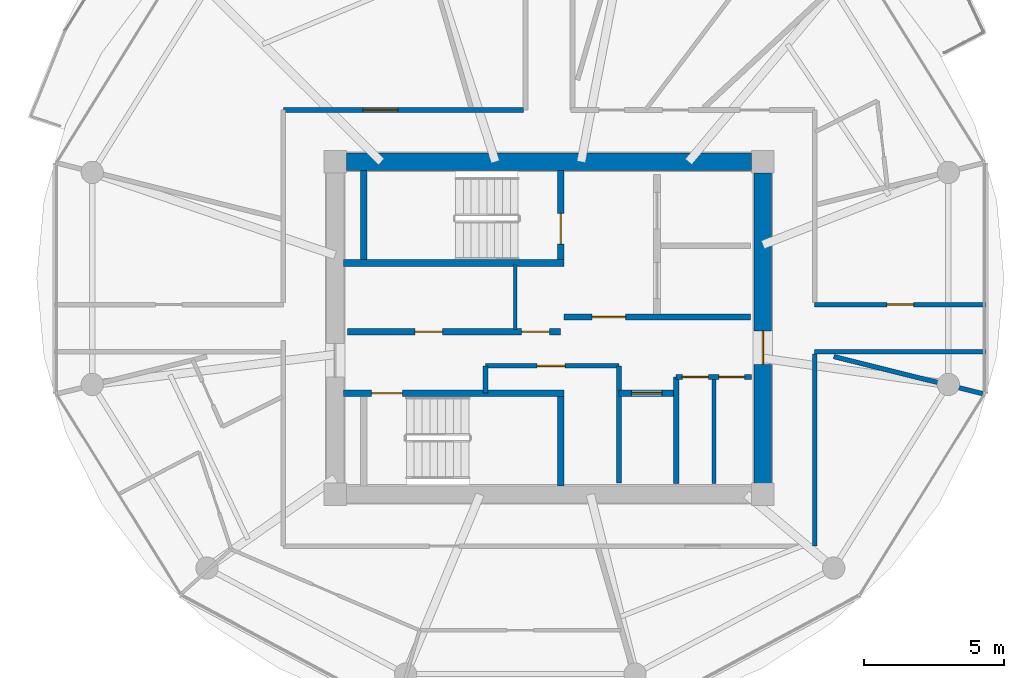
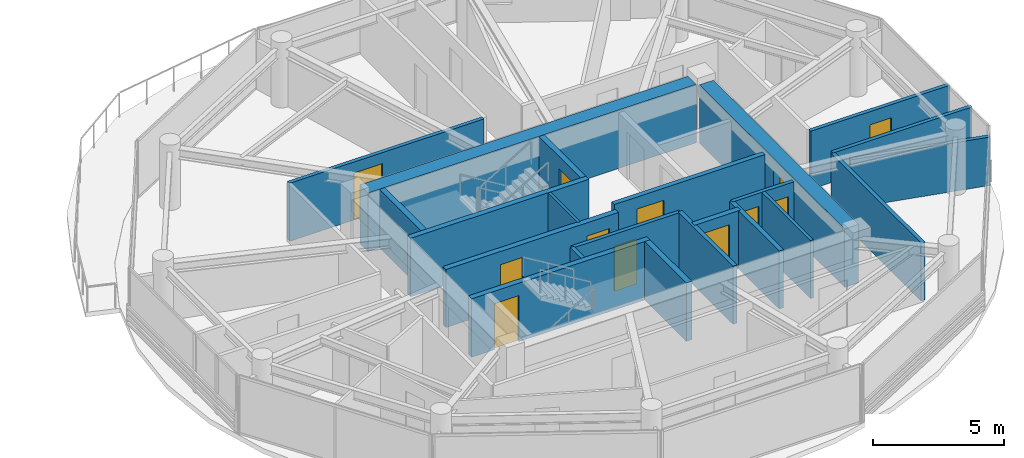
# One storey, part 15 of 22: 22 walls, 12 doors, 12 openings.
"""IFC4 building model written with IfcOpenShell, lengths in metres."""

from ifc_helpers import new_model, si_unit, direction, frame, frame_2d, origin, place, context, subcontext, project, spatial, rectangle, extrude, source, transform, mapped, material, layer, layer_set, type_object, type_shapes, element, fill, save


model = new_model("IFC4")

# Units and contexts
model_context = context("Model", 3, precision=1e-05, world=origin(), true_north=direction((0.0, 1.0)))
body_context = subcontext(model_context, "Body", "Model", "MODEL_VIEW")
ifc_project = project(units=[si_unit("LENGTHUNIT", "METRE"), si_unit("AREAUNIT", "SQUARE_METRE"), si_unit("VOLUMEUNIT", "CUBIC_METRE"), si_unit("PLANEANGLEUNIT", "RADIAN"), si_unit("MASSUNIT", "GRAM", prefix="KILO")], contexts=[model_context])

# Site, building, storey
site_placement = place(None, origin())
site = spatial("IfcSite", under=ifc_project, at=site_placement, CompositionType="ELEMENT")
building_placement = place(site_placement, origin())
building = spatial("IfcBuilding", under=site, at=building_placement, Name="Norrkilde Senior Care Towers", CompositionType="ELEMENT")
storey_placement = place(building_placement, frame((0.0, 0.0, 183.10009765625)))
storey = spatial("IfcBuildingStorey", under=building, at=storey_placement, Name="L57", CompositionType="ELEMENT", Elevation=183.10009765625)

# Wall
ifc_material_1 = material(Name="Concrete C50/60", Category="concrete")
ifc_layer_1 = layer(ifc_material_1, 0.6201171875)
ifc_layer_set_1 = layer_set([ifc_layer_1], Name="Concrete C50/60")
wall_type_1 = type_object("IfcWallType", Name="Core Shear Wall Z3 620", PredefinedType="SHEAR", material=ifc_layer_set_1)
shared_shape_1 = source(origin(), body_context, "Body", "SweptSolid", [
    extrude(rectangle(XDim=14.5, YDim=0.6201171875, at=frame_2d((7.25, 0.0))), origin(), (0.0, 0.0, 1.0), 2.72998046875),
])
wall_1_placement = place(storey_placement, frame((20.75, 5.949951171875, 0.0), z_axis=(0.0, 0.0, 1.0), x_axis=(1.0, 0.0, 0.0)))
element("IfcWall", 1, at=wall_1_placement, inside=storey, type_object=wall_type_1, Name="L57 Core E North Shear Wall", PredefinedType="SHEAR", context=body_context, shape_type="MappedRepresentation", body=[
    mapped(shared_shape_1, transform((0.0, 0.0, 0.0), x_axis=(1.0, 0.0, 0.0), y_axis=(0.0, 1.0, 0.0), z_axis=(0.0, 0.0, 1.0), scale=1.0)),
])

# Wall, opening, door
shared_shape_2 = source(origin(), body_context, "Body", "SweptSolid", [
    extrude(rectangle(XDim=11.10009765625, YDim=0.6201171875, at=frame_2d((5.550048828125, 0.0))), origin(), (0.0, 0.0, 1.0), 2.72998046875),
])
type_shapes(wall_type_1, [shared_shape_1, shared_shape_2])
wall_2_placement = place(storey_placement, frame((35.64990234375, 5.550048828125, 0.0), z_axis=(0.0, 0.0, 1.0), x_axis=(0.0, -1.0, 0.0)))
wall_2 = element("IfcWall", 2, at=wall_2_placement, inside=storey, type_object=wall_type_1, Name="L57 Core E East Shear Wall", PredefinedType="SHEAR", context=body_context, shape_type="MappedRepresentation", body=[
    mapped(shared_shape_2, transform((0.0, 0.0, 0.0), x_axis=(1.0, 0.0, 0.0), y_axis=(0.0, 1.0, 0.0), z_axis=(0.0, 0.0, 1.0), scale=1.0)),
])
opening_1_placement = place(wall_2_placement, frame((5.64990234375, 0.0, 0.0)))
opening_1 = element("IfcOpeningElement", 3, at=opening_1_placement, cuts=wall_2, Name="Opening D-04", PredefinedType="OPENING", context=body_context, shape_type="SweptSolid", body=[
    extrude(rectangle(XDim=1.199951171875, YDim=2.14990234375, at=frame_2d((0.60009765625, 1.074951171875))), frame((0.0, 0.320068359375, 0.0), z_axis=(0.0, -1.0, 0.0), x_axis=(1.0, 0.0, 0.0)), (0.0, 0.0, 1.0), 0.64013671875),
])
ifc_material_2 = material(Name="Galvanised Painted Steel", Category="steel")
door_type_1 = type_object("IfcDoorType", Name="Firefighting Lobby Fire Door 1200x2150", OperationType="NOTDEFINED", PredefinedType="DOOR", material=ifc_material_2)
shared_shape_3 = source(origin(), body_context, "Body", "SweptSolid", [
    extrude(rectangle(XDim=1.199951171875, YDim=2.14990234375, at=frame_2d((0.60009765625, 1.074951171875))), frame((0.0, 0.02490234375, 0.0), z_axis=(0.0, -1.0, 0.0), x_axis=(1.0, 0.0, 0.0)), (0.0, 0.0, 1.0), 0.050048828125),
])
type_shapes(door_type_1, [shared_shape_3])
door_1_placement = place(opening_1_placement, frame((1.199951171875, 0.0, 0.0), z_axis=(0.0, 0.0, 1.0), x_axis=(-1.0, 0.0, 0.0)))
door_1 = element("IfcDoor", 4, at=door_1_placement, inside=storey, type_object=door_type_1, Name="L57 Core E East Portal Door", OperationType="SINGLE_SWING_RIGHT", OverallHeight=2.14990234375, OverallWidth=1.199951171875, PredefinedType="DOOR", context=body_context, shape_type="MappedRepresentation", body=[
    mapped(shared_shape_3, transform((0.0, 0.0, 0.0), x_axis=(1.0, 0.0, 0.0), y_axis=(0.0, 1.0, 0.0), z_axis=(0.0, 0.0, 1.0), scale=1.0)),
])
fill(opening_1, door_1)

# Wall
ifc_material_3 = material(Name="Concrete C45/55", Category="concrete")
ifc_layer_2 = layer(ifc_material_3, 0.239990234375)
ifc_layer_set_2 = layer_set([ifc_layer_2], Name="Concrete C45/55")
wall_type_2 = type_object("IfcWallType", Name="Shaft and Stair Enclosure Wall 240", PredefinedType="PARTITIONING", material=ifc_layer_set_2)
shared_shape_4 = source(origin(), body_context, "Body", "SweptSolid", [
    extrude(rectangle(XDim=7.880126953125, YDim=0.239990234375, at=frame_2d((3.93994140625, 0.0))), origin(), (0.0, 0.0, 1.0), 2.72998046875),
])
wall_3_placement = place(storey_placement, frame((20.659912109375, 2.330078125, 0.0), z_axis=(0.0, 0.0, 1.0), x_axis=(1.0, 0.0, 0.0)))
element("IfcWall", 5, at=wall_3_placement, inside=storey, type_object=wall_type_2, Name="WL-INT-L57-E-ST1S", PredefinedType="PARTITIONING", context=body_context, shape_type="MappedRepresentation", body=[
    mapped(shared_shape_4, transform((0.0, 0.0, 0.0), x_axis=(1.0, 0.0, 0.0), y_axis=(0.0, 1.0, 0.0), z_axis=(0.0, 0.0, 1.0), scale=1.0)),
])

# Wall, opening, door
wall_4_placement = place(storey_placement, frame((20.659912109375, -2.330078125, 0.0), z_axis=(0.0, 0.0, 1.0), x_axis=(1.0, 0.0, 0.0)))
wall_4 = element("IfcWall", 6, at=wall_4_placement, inside=storey, type_object=wall_type_2, Name="WL-INT-L57-E-ST2N", PredefinedType="PARTITIONING", context=body_context, shape_type="MappedRepresentation", body=[
    mapped(shared_shape_4, transform((0.0, 0.0, 0.0), x_axis=(1.0, 0.0, 0.0), y_axis=(0.0, 1.0, 0.0), z_axis=(0.0, 0.0, 1.0), scale=1.0)),
])
opening_2_placement = place(wall_4_placement, frame((1.0, 0.0, 0.0)))
opening_2 = element("IfcOpeningElement", 7, at=opening_2_placement, cuts=wall_4, Name="Opening D-03", PredefinedType="OPENING", context=body_context, shape_type="SweptSolid", body=[
    extrude(rectangle(XDim=1.10009765625, YDim=2.14990234375, at=frame_2d((0.550048828125, 1.074951171875))), frame((0.0, 0.1298828125, 0.0), z_axis=(0.0, -1.0, 0.0), x_axis=(1.0, 0.0, 0.0)), (0.0, 0.0, 1.0), 0.260009765625),
])
door_type_2 = type_object("IfcDoorType", Name="Stairwell Protected Fire Door 1100x2150", OperationType="NOTDEFINED", PredefinedType="DOOR", material=ifc_material_2)
shared_shape_5 = source(origin(), body_context, "Body", "SweptSolid", [
    extrude(rectangle(XDim=1.10009765625, YDim=2.14990234375, at=frame_2d((0.550048828125, 1.074951171875))), frame((0.0, 0.02490234375, 0.0), z_axis=(0.0, -1.0, 0.0), x_axis=(1.0, 0.0, 0.0)), (0.0, 0.0, 1.0), 0.050048828125),
])
type_shapes(door_type_2, [shared_shape_5])
door_2_placement = place(opening_2_placement, frame((1.10009765625, 0.0, 0.0), z_axis=(0.0, 0.0, 1.0), x_axis=(-1.0, 0.0, 0.0)))
door_2 = element("IfcDoor", 8, at=door_2_placement, inside=storey, type_object=door_type_2, Name="L57 Stair E2 Fire Door", OperationType="SINGLE_SWING_RIGHT", OverallHeight=2.14990234375, OverallWidth=1.10009765625, PredefinedType="DOOR", context=body_context, shape_type="MappedRepresentation", body=[
    mapped(shared_shape_5, transform((0.0, 0.0, 0.0), x_axis=(1.0, 0.0, 0.0), y_axis=(0.0, 1.0, 0.0), z_axis=(0.0, 0.0, 1.0), scale=1.0)),
])
fill(opening_2, door_2)

# Wall
shared_shape_6 = source(origin(), body_context, "Body", "SweptSolid", [
    extrude(rectangle(XDim=3.18994140625, YDim=0.239990234375, at=frame_2d((1.594970703125, 0.0))), origin(), (0.0, 0.0, 1.0), 2.72998046875),
])
type_shapes(wall_type_2, [shared_shape_4, shared_shape_6])
wall_5_placement = place(storey_placement, frame((21.3798828125, 2.449951171875, 0.0), z_axis=(0.0, 0.0, 1.0), x_axis=(0.0, 1.0, 0.0)))
element("IfcWall", 9, at=wall_5_placement, inside=storey, type_object=wall_type_2, Name="WL-INT-L57-E-ST1W", PredefinedType="PARTITIONING", context=body_context, shape_type="MappedRepresentation", body=[
    mapped(shared_shape_6, transform((0.0, 0.0, 0.0), x_axis=(1.0, 0.0, 0.0), y_axis=(0.0, 1.0, 0.0), z_axis=(0.0, 0.0, 1.0), scale=1.0)),
])

# Wall, opening, door
wall_6_placement = place(storey_placement, frame((28.419921875, 2.449951171875, 0.0), z_axis=(0.0, 0.0, 1.0), x_axis=(0.0, 1.0, 0.0)))
wall_6 = element("IfcWall", 10, at=wall_6_placement, inside=storey, type_object=wall_type_2, Name="WL-INT-L57-E-ST1E", PredefinedType="PARTITIONING", context=body_context, shape_type="MappedRepresentation", body=[
    mapped(shared_shape_6, transform((0.0, 0.0, 0.0), x_axis=(1.0, 0.0, 0.0), y_axis=(0.0, 1.0, 0.0), z_axis=(0.0, 0.0, 1.0), scale=1.0)),
])
opening_3_placement = place(wall_6_placement, frame((0.550048828125, 0.0, 0.0)))
opening_3 = element("IfcOpeningElement", 11, at=opening_3_placement, cuts=wall_6, Name="Opening D-03", PredefinedType="OPENING", context=body_context, shape_type="SweptSolid", body=[
    extrude(rectangle(XDim=1.10009765625, YDim=2.14990234375, at=frame_2d((0.550048828125, 1.074951171875))), frame((0.0, 0.1298828125, 0.0), z_axis=(0.0, -1.0, 0.0), x_axis=(1.0, 0.0, 0.0)), (0.0, 0.0, 1.0), 0.260009765625),
])
door_3_placement = place(opening_3_placement, origin())
door_3 = element("IfcDoor", 12, at=door_3_placement, inside=storey, type_object=door_type_2, Name="L57 Stair E1 Fire Door", OperationType="SINGLE_SWING_LEFT", OverallHeight=2.14990234375, OverallWidth=1.10009765625, PredefinedType="DOOR", context=body_context, shape_type="MappedRepresentation", body=[
    mapped(shared_shape_5, transform((0.0, 0.0, 0.0), x_axis=(1.0, 0.0, 0.0), y_axis=(0.0, 1.0, 0.0), z_axis=(0.0, 0.0, 1.0), scale=1.0)),
])
fill(opening_3, door_3)

# Wall
wall_7_placement = place(storey_placement, frame((28.419921875, -5.639892578125, 0.0), z_axis=(0.0, 0.0, 1.0), x_axis=(0.0, 1.0, 0.0)))
element("IfcWall", 13, at=wall_7_placement, inside=storey, type_object=wall_type_2, Name="WL-INT-L57-E-ST2E", PredefinedType="PARTITIONING", context=body_context, shape_type="MappedRepresentation", body=[
    mapped(shared_shape_6, transform((0.0, 0.0, 0.0), x_axis=(1.0, 0.0, 0.0), y_axis=(0.0, 1.0, 0.0), z_axis=(0.0, 0.0, 1.0), scale=1.0)),
])

# Wall, opening, door
ifc_layer_3 = layer(ifc_material_3, 0.2099609375)
ifc_layer_set_3 = layer_set([ifc_layer_3], Name="Concrete C45/55")
wall_type_3 = type_object("IfcWallType", Name="Firefighting Lobby Wall 210", PredefinedType="PARTITIONING", material=ifc_layer_set_3)
shared_shape_7 = source(origin(), body_context, "Body", "SweptSolid", [
    extrude(rectangle(XDim=6.659912109375, YDim=0.2099609375, at=frame_2d((3.330078125, 0.0))), origin(), (0.0, 0.0, 1.0), 2.71484375),
])
type_shapes(wall_type_3, [shared_shape_7])
wall_8_placement = place(storey_placement, frame((28.5400390625, 0.389892578125, 0.0), z_axis=(0.0, 0.0, 1.0), x_axis=(1.0, 0.0, 0.0)))
wall_8 = element("IfcWall", 14, at=wall_8_placement, inside=storey, type_object=wall_type_3, Name="WL-INT-L57-E-FFLS", PredefinedType="PARTITIONING", context=body_context, shape_type="MappedRepresentation", body=[
    mapped(shared_shape_7, transform((0.0, 0.0, 0.0), x_axis=(1.0, 0.0, 0.0), y_axis=(0.0, 1.0, 0.0), z_axis=(0.0, 0.0, 1.0), scale=1.0)),
])
opening_4_placement = place(wall_8_placement, frame((1.0, 0.0, 0.0)))
opening_4 = element("IfcOpeningElement", 15, at=opening_4_placement, cuts=wall_8, Name="Opening D-04", PredefinedType="OPENING", context=body_context, shape_type="SweptSolid", body=[
    extrude(rectangle(XDim=1.199951171875, YDim=2.14990234375, at=frame_2d((0.60009765625, 1.074951171875))), frame((0.0, 0.114990234375, 0.0), z_axis=(0.0, -1.0, 0.0), x_axis=(1.0, 0.0, 0.0)), (0.0, 0.0, 1.0), 0.22998046875),
])
door_4_placement = place(opening_4_placement, frame((1.199951171875, 0.0, 0.0), z_axis=(0.0, 0.0, 1.0), x_axis=(-1.0, 0.0, 0.0)))
door_4 = element("IfcDoor", 16, at=door_4_placement, inside=storey, type_object=door_type_1, Name="L57 Firefighting Lobby E Door", OperationType="SINGLE_SWING_LEFT", OverallHeight=2.14990234375, OverallWidth=1.199951171875, PredefinedType="DOOR", context=body_context, shape_type="MappedRepresentation", body=[
    mapped(shared_shape_3, transform((0.0, 0.0, 0.0), x_axis=(1.0, 0.0, 0.0), y_axis=(0.0, 1.0, 0.0), z_axis=(0.0, 0.0, 1.0), scale=1.0)),
])
fill(opening_4, door_4)

# Wall, openings, doors
ifc_layer_4 = layer(ifc_material_3, 0.239990234375)
ifc_layer_set_4 = layer_set([ifc_layer_4], Name="Concrete C45/55")
wall_type_4 = type_object("IfcWallType", Name="Lift and Plant Rated Enclosure Partition 240", PredefinedType="PARTITIONING", material=ifc_layer_set_4)
shared_shape_8 = source(origin(), body_context, "Body", "SweptSolid", [
    extrude(rectangle(XDim=7.619873046875, YDim=0.239990234375, at=frame_2d((3.81005859375, 0.0))), origin(), (0.0, 0.0, 1.0), 2.71484375),
])
wall_9_placement = place(storey_placement, frame((20.800048828125, -0.1298828125, 0.0), z_axis=(0.0, 0.0, 1.0), x_axis=(1.0, 0.0, 0.0)))
wall_9 = element("IfcWall", 17, at=wall_9_placement, inside=storey, type_object=wall_type_4, Name="WL-INT-L57-E-PKAS", PredefinedType="PARTITIONING", context=body_context, shape_type="MappedRepresentation", body=[
    mapped(shared_shape_8, transform((0.0, 0.0, 0.0), x_axis=(1.0, 0.0, 0.0), y_axis=(0.0, 1.0, 0.0), z_axis=(0.0, 0.0, 1.0), scale=1.0)),
])
opening_5_placement = place(wall_9_placement, frame((6.219970703125, 0.0, 0.0)))
opening_5 = element("IfcOpeningElement", 18, at=opening_5_placement, cuts=wall_9, Name="Opening D-10", PredefinedType="OPENING", context=body_context, shape_type="SweptSolid", body=[
    extrude(rectangle(XDim=1.0, YDim=2.10009765625, at=frame_2d((0.5, 1.050048828125))), frame((0.0, 0.1298828125, 0.0), z_axis=(0.0, -1.0, 0.0), x_axis=(1.0, 0.0, 0.0)), (0.0, 0.0, 1.0), 0.260009765625),
])
opening_6_placement = place(wall_9_placement, frame((2.39990234375, 0.0, 0.0)))
opening_6 = element("IfcOpeningElement", 19, at=opening_6_placement, cuts=wall_9, Name="Opening D-10", PredefinedType="OPENING", context=body_context, shape_type="SweptSolid", body=[
    extrude(rectangle(XDim=1.0, YDim=2.10009765625, at=frame_2d((0.5, 1.050048828125))), frame((0.0, 0.1298828125, 0.0), z_axis=(0.0, -1.0, 0.0), x_axis=(1.0, 0.0, 0.0)), (0.0, 0.0, 1.0), 0.260009765625),
])
door_type_3 = type_object("IfcDoorType", Name="Plant and Riser Rated Door 1000x2100", OperationType="NOTDEFINED", PredefinedType="DOOR", material=ifc_material_2)
shared_shape_9 = source(origin(), body_context, "Body", "SweptSolid", [
    extrude(rectangle(XDim=1.0, YDim=2.10009765625, at=frame_2d((0.5, 1.050048828125))), frame((0.0, 0.02490234375, 0.0), z_axis=(0.0, -1.0, 0.0), x_axis=(1.0, 0.0, 0.0)), (0.0, 0.0, 1.0), 0.050048828125),
])
type_shapes(door_type_3, [shared_shape_9])
door_5_placement = place(opening_5_placement, frame((1.0, 0.0, 0.0), z_axis=(0.0, 0.0, 1.0), x_axis=(-1.0, 0.0, 0.0)))
door_5 = element("IfcDoor", 20, at=door_5_placement, inside=storey, type_object=door_type_3, Name="L57 Electrical Riser E Door", OperationType="SINGLE_SWING_LEFT", OverallHeight=2.10009765625, OverallWidth=1.0, PredefinedType="DOOR", context=body_context, shape_type="MappedRepresentation", body=[
    mapped(shared_shape_9, transform((0.0, 0.0, 0.0), x_axis=(1.0, 0.0, 0.0), y_axis=(0.0, 1.0, 0.0), z_axis=(0.0, 0.0, 1.0), scale=1.0)),
])
fill(opening_5, door_5)
door_6_placement = place(opening_6_placement, frame((1.0, 0.0, 0.0), z_axis=(0.0, 0.0, 1.0), x_axis=(-1.0, 0.0, 0.0)))
door_6 = element("IfcDoor", 21, at=door_6_placement, inside=storey, type_object=door_type_3, Name="L57 Clean Supply Store E Door", OperationType="SINGLE_SWING_LEFT", OverallHeight=2.10009765625, OverallWidth=1.0, PredefinedType="DOOR", context=body_context, shape_type="MappedRepresentation", body=[
    mapped(shared_shape_9, transform((0.0, 0.0, 0.0), x_axis=(1.0, 0.0, 0.0), y_axis=(0.0, 1.0, 0.0), z_axis=(0.0, 0.0, 1.0), scale=1.0)),
])
fill(opening_6, door_6)

# Walls
ifc_material_4 = material(Name="Gypsum Acoustic Board")
ifc_layer_5 = layer(ifc_material_4, 0.114990234375)
ifc_layer_set_5 = layer_set([ifc_layer_5], Name="Gypsum Acoustic Board")
wall_type_5 = type_object("IfcWallType", Name="Internal Room Partition 115", PredefinedType="PARTITIONING", material=ifc_layer_set_5)
shared_shape_10 = source(origin(), body_context, "Body", "SweptSolid", [
    extrude(rectangle(XDim=2.330078125, YDim=0.114990234375, at=frame_2d((1.1650390625, 0.0))), origin(), (0.0, 0.0, 1.0), 2.71484375),
])
type_shapes(wall_type_5, [shared_shape_10])
wall_10_placement = place(storey_placement, frame((26.7900390625, -0.050048828125, 0.0), z_axis=(0.0, 0.0, 1.0), x_axis=(0.0, 1.0, 0.0)))
element("IfcWall", 22, at=wall_10_placement, inside=storey, type_object=wall_type_5, Name="WL-INT-L57-E-RISW", PredefinedType="PARTITIONING", context=body_context, shape_type="MappedRepresentation", body=[
    mapped(shared_shape_10, transform((0.0, 0.0, 0.0), x_axis=(1.0, 0.0, 0.0), y_axis=(0.0, 1.0, 0.0), z_axis=(0.0, 0.0, 1.0), scale=1.0)),
])
ifc_layer_6 = layer(ifc_material_3, 0.199951171875)
ifc_layer_set_6 = layer_set([ifc_layer_6], Name="Concrete C45/55")
wall_type_6 = type_object("IfcWallType", Name="Shaft Division and Plant Partition 200", PredefinedType="PARTITIONING", material=ifc_layer_set_6)
shared_shape_11 = source(origin(), body_context, "Body", "SweptSolid", [
    extrude(rectangle(XDim=3.800048828125, YDim=0.199951171875, at=frame_2d((1.89990234375, 0.0))), origin(), (0.0, 0.0, 1.0), 2.71484375),
])
type_shapes(wall_type_6, [shared_shape_11])
wall_11_placement = place(storey_placement, frame((32.550048828125, -5.550048828125, 0.0), z_axis=(0.0, 0.0, 1.0), x_axis=(0.0, 1.0, 0.0)))
element("IfcWall", 23, at=wall_11_placement, inside=storey, type_object=wall_type_6, Name="WL-INT-L57-E-PKBE", PredefinedType="PARTITIONING", context=body_context, shape_type="MappedRepresentation", body=[
    mapped(shared_shape_11, transform((0.0, 0.0, 0.0), x_axis=(1.0, 0.0, 0.0), y_axis=(0.0, 1.0, 0.0), z_axis=(0.0, 0.0, 1.0), scale=1.0)),
])

# Wall, opening, door
shared_shape_12 = source(origin(), body_context, "Body", "SweptSolid", [
    extrude(rectangle(XDim=2.050048828125, YDim=0.239990234375, at=frame_2d((1.02490234375, 0.0))), origin(), (0.0, 0.0, 1.0), 2.71484375),
])
type_shapes(wall_type_4, [shared_shape_8, shared_shape_12])
wall_12_placement = place(storey_placement, frame((30.5, -2.330078125, 0.0), z_axis=(0.0, 0.0, 1.0), x_axis=(1.0, 0.0, 0.0)))
wall_12 = element("IfcWall", 24, at=wall_12_placement, inside=storey, type_object=wall_type_4, Name="WL-INT-L57-E-PL4N", PredefinedType="PARTITIONING", context=body_context, shape_type="MappedRepresentation", body=[
    mapped(shared_shape_12, transform((0.0, 0.0, 0.0), x_axis=(1.0, 0.0, 0.0), y_axis=(0.0, 1.0, 0.0), z_axis=(0.0, 0.0, 1.0), scale=1.0)),
])
opening_7_placement = place(wall_12_placement, frame((0.449951171875, 0.0, 0.0)))
opening_7 = element("IfcOpeningElement", 25, at=opening_7_placement, cuts=wall_12, Name="Opening LD-01", PredefinedType="OPENING", context=body_context, shape_type="SweptSolid", body=[
    extrude(rectangle(XDim=1.10009765625, YDim=2.199951171875, at=frame_2d((0.550048828125, 1.10009765625))), frame((0.0, 0.1298828125, 0.0), z_axis=(0.0, -1.0, 0.0), x_axis=(1.0, 0.0, 0.0)), (0.0, 0.0, 1.0), 0.260009765625),
])
ifc_material_5 = material(Name="Stainless Steel", Category="steel")
door_type_4 = type_object("IfcDoorType", Name="Lift Landing Sliding Door 1100x2200", OperationType="NOTDEFINED", PredefinedType="DOOR", material=ifc_material_5)
shared_shape_13 = source(origin(), body_context, "Body", "SweptSolid", [
    extrude(rectangle(XDim=1.10009765625, YDim=2.199951171875, at=frame_2d((0.550048828125, 1.10009765625))), frame((0.0, 0.02490234375, 0.0), z_axis=(0.0, -1.0, 0.0), x_axis=(1.0, 0.0, 0.0)), (0.0, 0.0, 1.0), 0.050048828125),
])
type_shapes(door_type_4, [shared_shape_13])
door_7_placement = place(opening_7_placement, frame((1.10009765625, 0.0, 0.0), z_axis=(0.0, 0.0, 1.0), x_axis=(-1.0, 0.0, 0.0)))
door_7 = element("IfcDoor", 26, at=door_7_placement, inside=storey, type_object=door_type_4, Name="L57 Passenger Lift E4 Landing Door", OperationType="SLIDING_TO_RIGHT", OverallHeight=2.199951171875, OverallWidth=1.10009765625, PredefinedType="DOOR", context=body_context, shape_type="MappedRepresentation", body=[
    mapped(shared_shape_13, transform((0.0, 0.0, 0.0), x_axis=(1.0, 0.0, 0.0), y_axis=(0.0, 1.0, 0.0), z_axis=(0.0, 0.0, 1.0), scale=1.0)),
])
fill(opening_7, door_7)

# Wall
ifc_layer_7 = layer(ifc_material_3, 0.179931640625)
ifc_layer_set_7 = layer_set([ifc_layer_7], Name="Concrete C45/55")
wall_type_7 = type_object("IfcWallType", Name="Hoistway Division Rated Partition 180", PredefinedType="PARTITIONING", material=ifc_layer_set_7)
shared_shape_14 = source(origin(), body_context, "Body", "SweptSolid", [
    extrude(rectangle(XDim=4.199951171875, YDim=0.179931640625, at=frame_2d((2.10009765625, 0.0))), origin(), (0.0, 0.0, 1.0), 2.71484375),
])
type_shapes(wall_type_7, [shared_shape_14])
wall_13_placement = place(storey_placement, frame((30.5, -5.550048828125, 0.0), z_axis=(0.0, 0.0, 1.0), x_axis=(0.0, 1.0, 0.0)))
element("IfcWall", 27, at=wall_13_placement, inside=storey, type_object=wall_type_7, Name="WL-INT-L57-E-PL4W", PredefinedType="PARTITIONING", context=body_context, shape_type="MappedRepresentation", body=[
    mapped(shared_shape_14, transform((0.0, 0.0, 0.0), x_axis=(1.0, 0.0, 0.0), y_axis=(0.0, 1.0, 0.0), z_axis=(0.0, 0.0, 1.0), scale=1.0)),
])

# Wall, opening, door
ifc_layer_8 = layer(ifc_material_4, 0.1650390625)
ifc_layer_set_8 = layer_set([ifc_layer_8], Name="Gypsum Acoustic Board")
wall_type_8 = type_object("IfcWallType", Name="Corridor Rated Partition 165", PredefinedType="PARTITIONING", material=ifc_layer_set_8)
shared_shape_15 = source(origin(), body_context, "Body", "SweptSolid", [
    extrude(rectangle(XDim=4.77001953125, YDim=0.1650390625, at=frame_2d((2.385009765625, 0.0))), origin(), (0.0, 0.0, 1.0), 2.71484375),
])
wall_14_placement = place(storey_placement, frame((25.72998046875, -1.35009765625, 0.0), z_axis=(0.0, 0.0, 1.0), x_axis=(1.0, 0.0, 0.0)))
wall_14 = element("IfcWall", 28, at=wall_14_placement, inside=storey, type_object=wall_type_8, Name="WL-INT-L57-E-FR2N", PredefinedType="PARTITIONING", context=body_context, shape_type="MappedRepresentation", body=[
    mapped(shared_shape_15, transform((0.0, 0.0, 0.0), x_axis=(1.0, 0.0, 0.0), y_axis=(0.0, 1.0, 0.0), z_axis=(0.0, 0.0, 1.0), scale=1.0)),
])
opening_8_placement = place(wall_14_placement, frame((1.85009765625, 0.0, 0.0)))
opening_8 = element("IfcOpeningElement", 29, at=opening_8_placement, cuts=wall_14, Name="Opening D-10", PredefinedType="OPENING", context=body_context, shape_type="SweptSolid", body=[
    extrude(rectangle(XDim=1.0, YDim=2.10009765625, at=frame_2d((0.5, 1.050048828125))), frame((0.0, 0.092529296875, 0.0), z_axis=(0.0, -1.0, 0.0), x_axis=(1.0, 0.0, 0.0)), (0.0, 0.0, 1.0), 0.18505859375),
])
door_8_placement = place(opening_8_placement, origin())
door_8 = element("IfcDoor", 30, at=door_8_placement, inside=storey, type_object=door_type_3, Name="L57 Core Pantry E Door", OperationType="SINGLE_SWING_RIGHT", OverallHeight=2.10009765625, OverallWidth=1.0, PredefinedType="DOOR", context=body_context, shape_type="MappedRepresentation", body=[
    mapped(shared_shape_9, transform((0.0, 0.0, 0.0), x_axis=(1.0, 0.0, 0.0), y_axis=(0.0, 1.0, 0.0), z_axis=(0.0, 0.0, 1.0), scale=1.0)),
])
fill(opening_8, door_8)

# Wall
shared_shape_16 = source(origin(), body_context, "Body", "SweptSolid", [
    extrude(rectangle(XDim=0.97998046875, YDim=0.1650390625, at=frame_2d((0.489990234375, 0.0))), origin(), (0.0, 0.0, 1.0), 2.71484375),
])
wall_15_placement = place(storey_placement, frame((25.72998046875, -2.330078125, 0.0), z_axis=(0.0, 0.0, 1.0), x_axis=(0.0, 1.0, 0.0)))
element("IfcWall", 31, at=wall_15_placement, inside=storey, type_object=wall_type_8, Name="WL-INT-L57-E-FR2W", PredefinedType="PARTITIONING", context=body_context, shape_type="MappedRepresentation", body=[
    mapped(shared_shape_16, transform((0.0, 0.0, 0.0), x_axis=(1.0, 0.0, 0.0), y_axis=(0.0, 1.0, 0.0), z_axis=(0.0, 0.0, 1.0), scale=1.0)),
])

# Wall, openings, doors
shared_shape_17 = source(origin(), body_context, "Body", "SweptSolid", [
    extrude(rectangle(XDim=2.699951171875, YDim=0.1650390625, at=frame_2d((1.35009765625, 0.0))), origin(), (0.0, 0.0, 1.0), 2.71484375),
])
wall_16_placement = place(storey_placement, frame((32.550048828125, -1.75, 0.0), z_axis=(0.0, 0.0, 1.0), x_axis=(1.0, 0.0, 0.0)))
wall_16 = element("IfcWall", 32, at=wall_16_placement, inside=storey, type_object=wall_type_8, Name="WL-INT-L57-E-CSN", PredefinedType="PARTITIONING", context=body_context, shape_type="MappedRepresentation", body=[
    mapped(shared_shape_17, transform((0.0, 0.0, 0.0), x_axis=(1.0, 0.0, 0.0), y_axis=(0.0, 1.0, 0.0), z_axis=(0.0, 0.0, 1.0), scale=1.0)),
])
opening_9_placement = place(wall_16_placement, frame((0.222412109375, 0.0, 0.0)))
opening_9 = element("IfcOpeningElement", 33, at=opening_9_placement, cuts=wall_16, Name="Opening D-12", PredefinedType="OPENING", context=body_context, shape_type="SweptSolid", body=[
    extrude(rectangle(XDim=0.925048828125, YDim=2.10009765625, at=frame_2d((0.46240234375, 1.050048828125))), frame((0.0, 0.092529296875, 0.0), z_axis=(0.0, -1.0, 0.0), x_axis=(1.0, 0.0, 0.0)), (0.0, 0.0, 1.0), 0.18505859375),
])
opening_10_placement = place(wall_16_placement, frame((1.5224609375, 0.0, 0.0)))
opening_10 = element("IfcOpeningElement", 34, at=opening_10_placement, cuts=wall_16, Name="Opening D-12", PredefinedType="OPENING", context=body_context, shape_type="SweptSolid", body=[
    extrude(rectangle(XDim=0.925048828125, YDim=2.10009765625, at=frame_2d((0.46240234375, 1.050048828125))), frame((0.0, 0.092529296875, 0.0), z_axis=(0.0, -1.0, 0.0), x_axis=(1.0, 0.0, 0.0)), (0.0, 0.0, 1.0), 0.18505859375),
])
door_type_5 = type_object("IfcDoorType", Name="Core Wet Room Rated Door 925x2100", OperationType="NOTDEFINED", PredefinedType="DOOR", material=ifc_material_2)
shared_shape_18 = source(origin(), body_context, "Body", "SweptSolid", [
    extrude(rectangle(XDim=0.925048828125, YDim=2.10009765625, at=frame_2d((0.46240234375, 1.050048828125))), frame((0.0, 0.02490234375, 0.0), z_axis=(0.0, -1.0, 0.0), x_axis=(1.0, 0.0, 0.0)), (0.0, 0.0, 1.0), 0.050048828125),
])
type_shapes(door_type_5, [shared_shape_18])
door_9_placement = place(opening_9_placement, origin())
door_9 = element("IfcDoor", 35, at=door_9_placement, inside=storey, type_object=door_type_5, Name="L57 Staff Accessible WC E Door", OperationType="SINGLE_SWING_LEFT", OverallHeight=2.10009765625, OverallWidth=0.925048828125, PredefinedType="DOOR", context=body_context, shape_type="MappedRepresentation", body=[
    mapped(shared_shape_18, transform((0.0, 0.0, 0.0), x_axis=(1.0, 0.0, 0.0), y_axis=(0.0, 1.0, 0.0), z_axis=(0.0, 0.0, 1.0), scale=1.0)),
])
fill(opening_9, door_9)
door_10_placement = place(opening_10_placement, origin())
door_10 = element("IfcDoor", 36, at=door_10_placement, inside=storey, type_object=door_type_5, Name="L57 Housekeeping Store E Door", OperationType="SINGLE_SWING_RIGHT", OverallHeight=2.10009765625, OverallWidth=0.925048828125, PredefinedType="DOOR", context=body_context, shape_type="MappedRepresentation", body=[
    mapped(shared_shape_18, transform((0.0, 0.0, 0.0), x_axis=(1.0, 0.0, 0.0), y_axis=(0.0, 1.0, 0.0), z_axis=(0.0, 0.0, 1.0), scale=1.0)),
])
fill(opening_10, door_10)

# Wall
ifc_layer_9 = layer(ifc_material_4, 0.139892578125)
ifc_layer_set_9 = layer_set([ifc_layer_9], Name="Gypsum Acoustic Board")
wall_type_9 = type_object("IfcWallType", Name="En-suite Wet Room Wall 140", PredefinedType="PARTITIONING", material=ifc_layer_set_9)
shared_shape_19 = source(origin(), body_context, "Body", "SweptSolid", [
    extrude(rectangle(XDim=3.800048828125, YDim=0.139892578125, at=frame_2d((1.89990234375, 0.0))), origin(), (0.0, 0.0, 1.0), 2.71484375),
])
type_shapes(wall_type_9, [shared_shape_19])
wall_17_placement = place(storey_placement, frame((33.89990234375, -5.550048828125, 0.0), z_axis=(0.0, 0.0, 1.0), x_axis=(0.0, 1.0, 0.0)))
element("IfcWall", 37, at=wall_17_placement, inside=storey, type_object=wall_type_9, Name="WL-INT-L57-E-CS1V", PredefinedType="PARTITIONING", context=body_context, shape_type="MappedRepresentation", body=[
    mapped(shared_shape_19, transform((0.0, 0.0, 0.0), x_axis=(1.0, 0.0, 0.0), y_axis=(0.0, 1.0, 0.0), z_axis=(0.0, 0.0, 1.0), scale=1.0)),
])

# Wall, opening, door
shared_shape_20 = source(origin(), body_context, "Body", "SweptSolid", [
    extrude(rectangle(XDim=8.580078125, YDim=0.1650390625, at=frame_2d((4.2900390625, 0.0))), origin(), (0.0, 0.0, 1.0), 2.71484375),
])
wall_18_placement = place(storey_placement, frame((18.5, 7.800048828125, 0.0), z_axis=(0.0, 0.0, 1.0), x_axis=(1.0, 0.0, 0.0)))
wall_18 = element("IfcWall", 38, at=wall_18_placement, inside=storey, type_object=wall_type_8, Name="WL-INT-L57-E-CRW-N-0", PredefinedType="PARTITIONING", context=body_context, shape_type="MappedRepresentation", body=[
    mapped(shared_shape_20, transform((0.0, 0.0, 0.0), x_axis=(1.0, 0.0, 0.0), y_axis=(0.0, 1.0, 0.0), z_axis=(0.0, 0.0, 1.0), scale=1.0)),
])
opening_11_placement = place(wall_18_placement, frame((2.8427734375, 0.0, 0.0)))
opening_11 = element("IfcOpeningElement", 39, at=opening_11_placement, cuts=wall_18, Name="Opening D-05", PredefinedType="OPENING", context=body_context, shape_type="SweptSolid", body=[
    extrude(rectangle(XDim=1.25, YDim=2.199951171875, at=frame_2d((0.625, 1.10009765625))), frame((0.0, 0.092529296875, 0.0), z_axis=(0.0, -1.0, 0.0), x_axis=(1.0, 0.0, 0.0)), (0.0, 0.0, 1.0), 0.18505859375),
])
ifc_material_6 = material(Name="Nordic Ash Timber", Category="wood")
door_type_6 = type_object("IfcDoorType", Name="Care Bedroom Bariatric Door 1250x2200", OperationType="NOTDEFINED", PredefinedType="DOOR", material=ifc_material_6)
shared_shape_21 = source(origin(), body_context, "Body", "SweptSolid", [
    extrude(rectangle(XDim=1.25, YDim=2.199951171875, at=frame_2d((0.625, 1.10009765625))), frame((0.0, 0.02490234375, 0.0), z_axis=(0.0, -1.0, 0.0), x_axis=(1.0, 0.0, 0.0)), (0.0, 0.0, 1.0), 0.050048828125),
])
type_shapes(door_type_6, [shared_shape_21])
door_11_placement = place(opening_11_placement, frame((1.25, 0.0, 0.0), z_axis=(0.0, 0.0, 1.0), x_axis=(-1.0, 0.0, 0.0)))
door_11 = element("IfcDoor", 40, at=door_11_placement, inside=storey, type_object=door_type_6, Name="L57 Senior Wellness Library Lounge Door", OperationType="SINGLE_SWING_RIGHT", OverallHeight=2.199951171875, OverallWidth=1.25, PredefinedType="DOOR", context=body_context, shape_type="MappedRepresentation", body=[
    mapped(shared_shape_21, transform((0.0, 0.0, 0.0), x_axis=(1.0, 0.0, 0.0), y_axis=(0.0, 1.0, 0.0), z_axis=(0.0, 0.0, 1.0), scale=1.0)),
])
fill(opening_11, door_11)

# Walls
shared_shape_22 = source(origin(), body_context, "Body", "SweptSolid", [
    extrude(rectangle(XDim=6.880126953125, YDim=0.1650390625, at=frame_2d((3.43994140625, 0.0))), origin(), (0.0, 0.0, 1.0), 2.71484375),
])
wall_19_placement = place(storey_placement, frame((37.5, -0.919921875, 0.0), z_axis=(0.0, 0.0, 1.0), x_axis=(0.0, -1.0, 0.0)))
element("IfcWall", 41, at=wall_19_placement, inside=storey, type_object=wall_type_8, Name="WL-INT-L57-E-CRW-E-1", PredefinedType="PARTITIONING", context=body_context, shape_type="MappedRepresentation", body=[
    mapped(shared_shape_22, transform((0.0, 0.0, 0.0), x_axis=(1.0, 0.0, 0.0), y_axis=(0.0, 1.0, 0.0), z_axis=(0.0, 0.0, 1.0), scale=1.0)),
])
shared_shape_23 = source(origin(), body_context, "Body", "SweptSolid", [
    extrude(rectangle(XDim=5.564208984375, YDim=0.1650390625, at=frame_2d((2.7822265625, 0.0))), origin(), (0.0, 0.0, 1.0), 2.264892578125),
])
wall_20_placement = place(storey_placement, frame((38.18994140625, -1.02001953125, 0.0), z_axis=(0.0, 0.0, 1.0), x_axis=(0.97031260977, -0.241854169533, 0.0)))
element("IfcWall", 42, at=wall_20_placement, inside=storey, type_object=wall_type_8, Name="WL-INT-L57-E-DEM-11-0", PredefinedType="PARTITIONING", context=body_context, shape_type="MappedRepresentation", body=[
    mapped(shared_shape_23, transform((0.0, 0.0, 0.0), x_axis=(1.0, 0.0, 0.0), y_axis=(0.0, 1.0, 0.0), z_axis=(0.0, 0.0, 1.0), scale=1.0)),
])

# Wall, opening, door
shared_shape_24 = source(origin(), body_context, "Body", "SweptSolid", [
    extrude(rectangle(XDim=6.138916015625, YDim=0.1650390625, at=frame_2d((3.0693359375, 0.0))), origin(), (0.0, 0.0, 1.0), 2.71484375),
])
type_shapes(wall_type_8, [shared_shape_15, shared_shape_16, shared_shape_17, shared_shape_20, shared_shape_22, shared_shape_23, shared_shape_24])
wall_21_placement = place(storey_placement, frame((37.5, 0.840087890625, 0.0), z_axis=(0.0, 0.0, 1.0), x_axis=(1.0, 0.0, 0.0)))
wall_21 = element("IfcWall", 43, at=wall_21_placement, inside=storey, type_object=wall_type_8, Name="WL-INT-L57-E-SPK-E1-0", PredefinedType="PARTITIONING", context=body_context, shape_type="MappedRepresentation", body=[
    mapped(shared_shape_24, transform((0.0, 0.0, 0.0), x_axis=(1.0, 0.0, 0.0), y_axis=(0.0, 1.0, 0.0), z_axis=(0.0, 0.0, 1.0), scale=1.0)),
])
opening_12_placement = place(wall_21_placement, frame((2.594482421875, 0.0, 0.0)))
opening_12 = element("IfcOpeningElement", 44, at=opening_12_placement, cuts=wall_21, Name="Opening D-07", PredefinedType="OPENING", context=body_context, shape_type="SweptSolid", body=[
    extrude(rectangle(XDim=0.949951171875, YDim=2.10009765625, at=frame_2d((0.47509765625, 1.050048828125))), frame((0.0, 0.092529296875, 0.0), z_axis=(0.0, -1.0, 0.0), x_axis=(1.0, 0.0, 0.0)), (0.0, 0.0, 1.0), 0.18505859375),
])
door_type_7 = type_object("IfcDoorType", Name="Internal Suite Bedroom Door 950x2100", OperationType="NOTDEFINED", PredefinedType="DOOR", material=ifc_material_6)
shared_shape_25 = source(origin(), body_context, "Body", "SweptSolid", [
    extrude(rectangle(XDim=0.949951171875, YDim=2.10009765625, at=frame_2d((0.47509765625, 1.050048828125))), frame((0.0, 0.02490234375, 0.0), z_axis=(0.0, -1.0, 0.0), x_axis=(1.0, 0.0, 0.0)), (0.0, 0.0, 1.0), 0.050048828125),
])
type_shapes(door_type_7, [shared_shape_25])
door_12_placement = place(opening_12_placement, frame((0.949951171875, 0.0, 0.0), z_axis=(0.0, 0.0, 1.0), x_axis=(-1.0, 0.0, 0.0)))
door_12 = element("IfcDoor", 45, at=door_12_placement, inside=storey, type_object=door_type_7, Name="L57 Sun Reading Lounge 5 Door", OperationType="SINGLE_SWING_RIGHT", OverallHeight=2.10009765625, OverallWidth=0.949951171875, PredefinedType="DOOR", context=body_context, shape_type="MappedRepresentation", body=[
    mapped(shared_shape_25, transform((0.0, 0.0, 0.0), x_axis=(1.0, 0.0, 0.0), y_axis=(0.0, 1.0, 0.0), z_axis=(0.0, 0.0, 1.0), scale=1.0)),
])
fill(opening_12, door_12)

# Wall
wall_22_placement = place(storey_placement, frame((43.638916015625, -0.840087890625, 0.0), z_axis=(0.0, 0.0, 1.0), x_axis=(-1.0, 0.0, 0.0)))
element("IfcWall", 46, at=wall_22_placement, inside=storey, type_object=wall_type_8, Name="WL-INT-L57-E-SPK-E2-0", PredefinedType="PARTITIONING", context=body_context, shape_type="MappedRepresentation", body=[
    mapped(shared_shape_24, transform((0.0, 0.0, 0.0), x_axis=(1.0, 0.0, 0.0), y_axis=(0.0, 1.0, 0.0), z_axis=(0.0, 0.0, 1.0), scale=1.0)),
])

save(model, "model.ifc")
